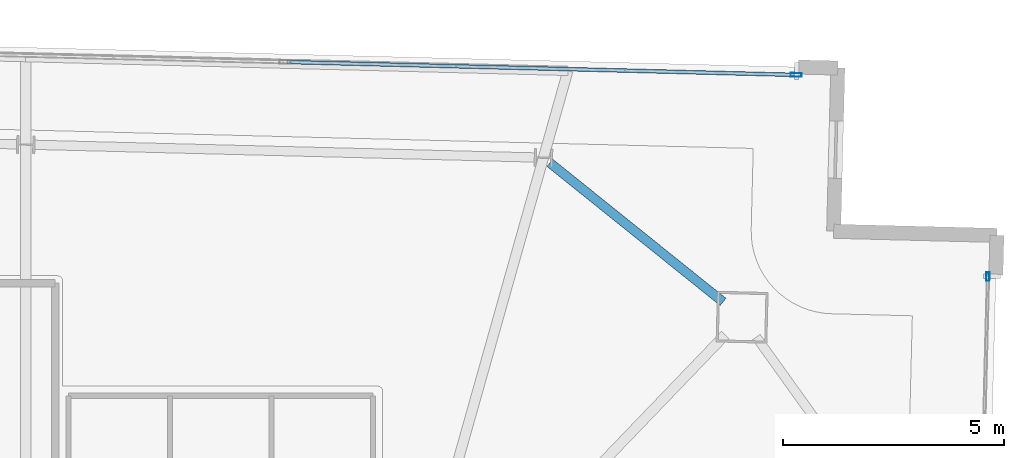
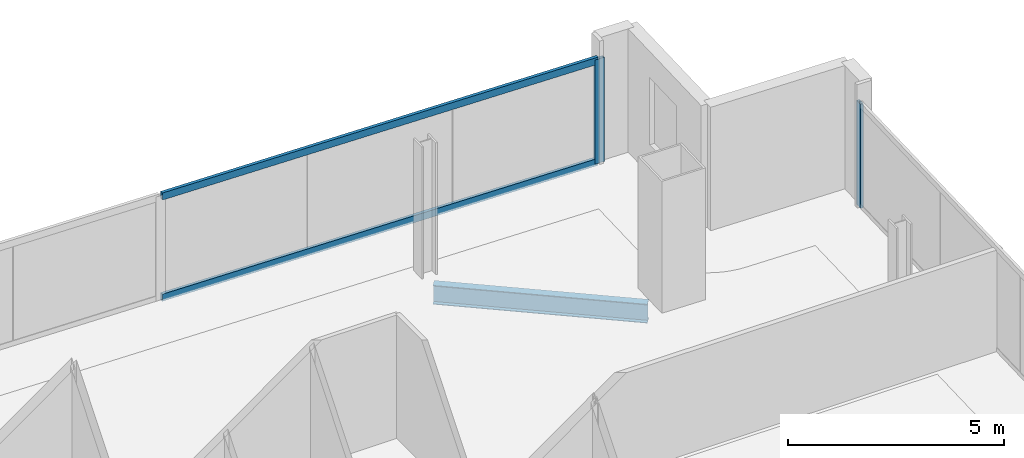
# One storey, part 17 of 25: 4 members, 1 beam, 2 elements without a shape of their own.
"""IFC4 building model written with IfcOpenShell, lengths in metres."""

from ifc_helpers import new_model, si_unit, direction, frame, origin, origin_2d, place, context, subcontext, project, spatial, hollow_rectangle, i_section, extrude, material, material_profile, profile_set, type_object, element, aggregate, save


model = new_model("IFC4")

# Units and contexts
model_context = context("Model", 3, precision=1e-05, world=origin(), true_north=direction((0.0, 1.0)))
body_context = subcontext(model_context, "Body", "Model", "MODEL_VIEW")
ifc_project = project(units=[si_unit("LENGTHUNIT", "METRE"), si_unit("AREAUNIT", "SQUARE_METRE"), si_unit("VOLUMEUNIT", "CUBIC_METRE"), si_unit("PLANEANGLEUNIT", "RADIAN"), si_unit("MASSUNIT", "GRAM", prefix="KILO")], contexts=[model_context])

# Site, building, storey
site_placement = place(None, origin())
site = spatial("IfcSite", under=ifc_project, at=site_placement, CompositionType="ELEMENT")
building_placement = place(site_placement, origin())
building = spatial("IfcBuilding", under=site, at=building_placement, Name="Haldenkirk Collegiate Tower", CompositionType="ELEMENT")
storey_placement = place(building_placement, frame((0.0, 0.0, 325.199951171875)))
storey = spatial("IfcBuildingStorey", under=building, at=storey_placement, Name="L82", CompositionType="ELEMENT", Elevation=325.199951171875)

# Beam
ifc_material_1 = material(Name="Steel ASTM A992 Grade 50", Category="steel")
ifc_material_profile_1 = material_profile(ifc_material_1, i_section(OverallWidth=0.2099609375, OverallDepth=0.537109375, WebThickness=0.010986328125, FlangeThickness=0.017333984375, at=origin_2d()), Name="W21X68")
ifc_profile_set_1 = profile_set([ifc_material_profile_1], Name="Steel ASTM A992 Grade 50")
beam_type = type_object("IfcBeamType", Name="BM-SPANDREL-W21X68", PredefinedType="SPANDREL", material=ifc_profile_set_1)
beam_placement = place(storey_placement, frame((52.380859375, 42.477294921875, -0.528564453125), z_axis=(-0.779721728928, 0.626126205678, 0.0), x_axis=(-0.626126205678, -0.779721728928, 0.0)))
element("IfcBeam", 1, at=beam_placement, inside=storey, type_object=beam_type, Name="L82 perimeter spandrel beam 05", PredefinedType="SPANDREL", context=body_context, shape_type="SweptSolid", body=[
    extrude(i_section(OverallWidth=0.2099609375, OverallDepth=0.537109375, WebThickness=0.010986328125, FlangeThickness=0.017333984375, at=origin_2d()), origin(), (0.0, 0.0, 1.0), 5.03076171875),
])

# Curtain wall, member
ifc_material_2 = material(Name="Anodised architectural bronze aluminium", Category="aluminium")
curtain_wall_type_1 = type_object("IfcCurtainWallType", Name="CW-SYS2-CONCAVE", PredefinedType="USERDEFINED", material=ifc_material_2)
curtain_wall_1_placement = place(storey_placement, origin())
curtain_wall_1 = element("IfcCurtainWall", 2, at=curtain_wall_1_placement, inside=storey, type_object=curtain_wall_type_1, Name="L82 South concave recessed bronze-anodised curtain wall", ObjectType="UNITISED CURTAIN WALL", PredefinedType="USERDEFINED")
ifc_material_profile_2 = material_profile(ifc_material_2, hollow_rectangle(XDim=0.074951171875, YDim=0.18994140625, WallThickness=0.0048828125, at=origin_2d()), Name="CW-MUL-02")
ifc_profile_set_2 = profile_set([ifc_material_profile_2], Name="Anodised architectural bronze aluminium")
member_type_1 = type_object("IfcMemberType", Name="CW-MUL-02", PredefinedType="MULLION", material=ifc_profile_set_2)
member_1_placement = place(storey_placement, frame((58.383544921875, 43.051513671875, 0.0), z_axis=(0.0, 0.0, 1.0), x_axis=(0.99967982494, -0.025303114586, 0.0)))
member_1 = element("IfcMember", 3, at=member_1_placement, type_object=member_type_1, Name="CW-02 mullion 1", PredefinedType="MULLION", context=body_context, shape_type="SweptSolid", body=[
    extrude(hollow_rectangle(XDim=0.074951171875, YDim=0.18994140625, WallThickness=0.0048828125, at=origin_2d()), origin(), (0.0, 0.0, 1.0), 2.947998046875),
])
aggregate(curtain_wall_1, [member_1])

# Curtain wall, members
curtain_wall_type_2 = type_object("IfcCurtainWallType", Name="CW-SYS1B-CONVEX-HI", PredefinedType="USERDEFINED", material=ifc_material_2)
curtain_wall_2_placement = place(storey_placement, origin())
curtain_wall_2 = element("IfcCurtainWall", 4, at=curtain_wall_2_placement, inside=storey, type_object=curtain_wall_type_2, Name="L82 Upper tower high-wind convex bronze unitised curtain wall", ObjectType="UNITISED CURTAIN WALL", PredefinedType="USERDEFINED")
ifc_material_profile_3 = material_profile(ifc_material_2, hollow_rectangle(XDim=0.0849609375, YDim=0.25, WallThickness=0.0048828125, at=origin_2d()), Name="CW-MUL-1B")
ifc_profile_set_3 = profile_set([ifc_material_profile_3], Name="Anodised architectural bronze aluminium")
member_type_2 = type_object("IfcMemberType", Name="CW-MUL-1B", PredefinedType="MULLION", material=ifc_profile_set_3)
member_2_placement = place(storey_placement, frame((54.035400390625, 47.62060546875, 0.0), z_axis=(0.0, 0.0, 1.0), x_axis=(0.0253046831, 0.999679785238, 0.0)))
member_2 = element("IfcMember", 5, at=member_2_placement, type_object=member_type_2, Name="CW-1B mullion 4", PredefinedType="MULLION", context=body_context, shape_type="SweptSolid", body=[
    extrude(hollow_rectangle(XDim=0.0849609375, YDim=0.25, WallThickness=0.0048828125, at=origin_2d()), origin(), (0.0, 0.0, 1.0), 2.947998046875),
])
ifc_material_profile_4 = material_profile(ifc_material_2, hollow_rectangle(XDim=0.0849609375, YDim=0.199951171875, WallThickness=0.0048828125, at=origin_2d()), Name="CW-TRN-1B")
ifc_profile_set_4 = profile_set([ifc_material_profile_4], Name="Anodised architectural bronze aluminium")
member_type_3 = type_object("IfcMemberType", Name="CW-TRN-1B", PredefinedType="USERDEFINED", material=ifc_profile_set_4)
member_3_placement = place(storey_placement, frame((42.4990234375, 47.91259765625, 0.04248046875), z_axis=(0.999679624489, -0.025311032783, 0.0), x_axis=(0.025311032783, 0.999679624489, 0.0)))
member_3 = element("IfcMember", 6, at=member_3_placement, type_object=member_type_3, Name="CW-1B transom 3.1", ObjectType="TRANSOM", PredefinedType="USERDEFINED", context=body_context, shape_type="SweptSolid", body=[
    extrude(hollow_rectangle(XDim=0.0849609375, YDim=0.199951171875, WallThickness=0.0048828125, at=origin_2d()), origin(), (0.0, 0.0, 1.0), 11.49755859375),
])
member_4_placement = place(storey_placement, frame((42.4990234375, 47.91259765625, 2.905517578125), z_axis=(0.999679624489, -0.025311032783, 0.0), x_axis=(0.025311032783, 0.999679624489, 0.0)))
member_4 = element("IfcMember", 7, at=member_4_placement, type_object=member_type_3, Name="CW-1B transom 3.2", ObjectType="TRANSOM", PredefinedType="USERDEFINED", context=body_context, shape_type="SweptSolid", body=[
    extrude(hollow_rectangle(XDim=0.0849609375, YDim=0.199951171875, WallThickness=0.0048828125, at=origin_2d()), origin(), (0.0, 0.0, 1.0), 11.49755859375),
])
aggregate(curtain_wall_2, [member_2, member_3, member_4])

save(model, "model.ifc")
